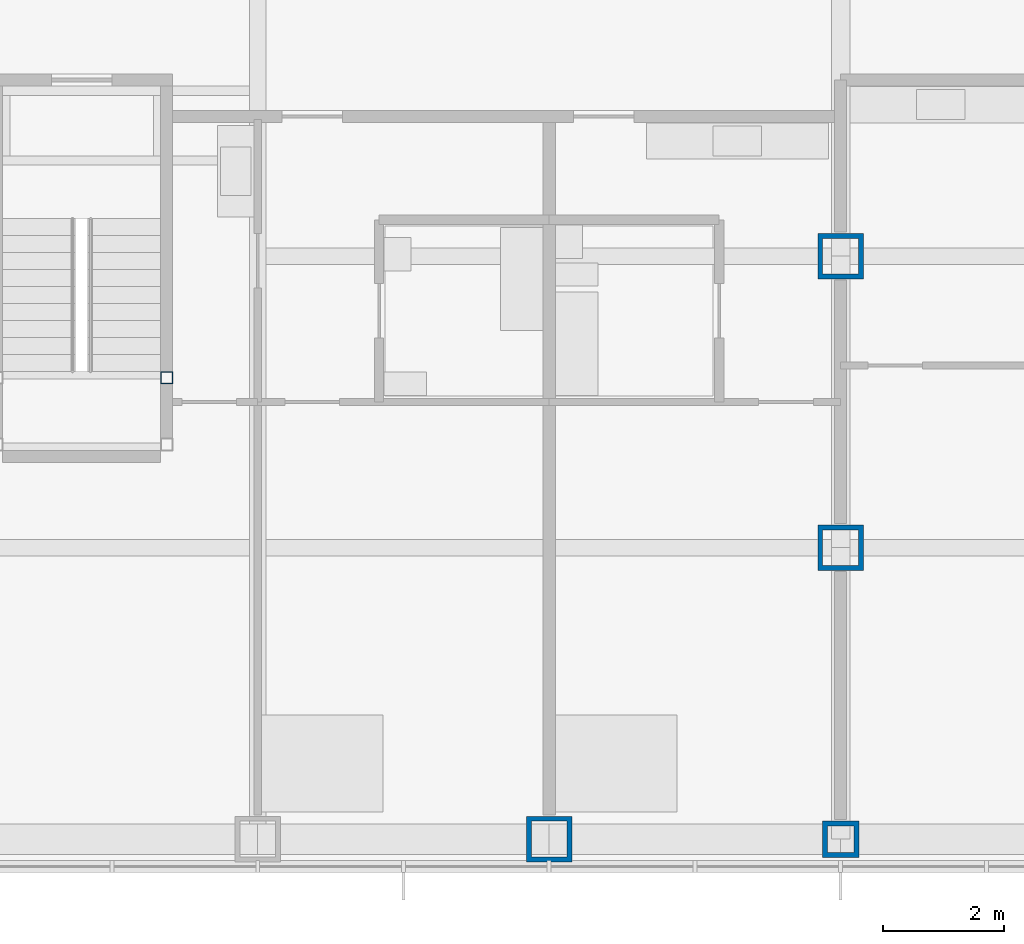
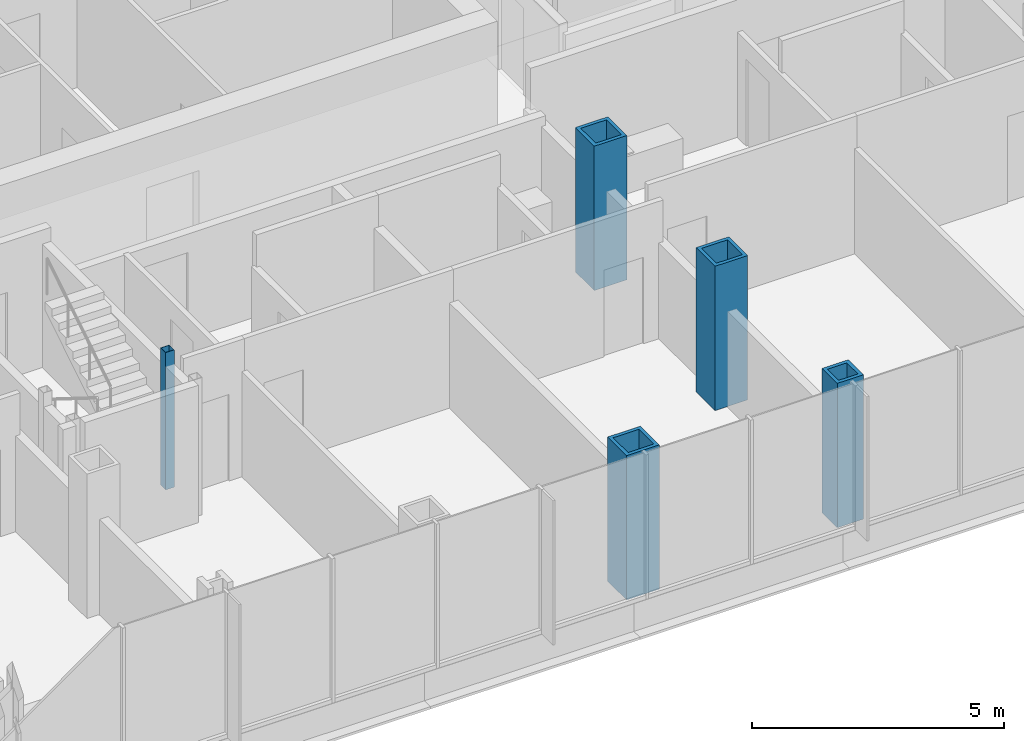
# One storey, part 2 of 21: 5 columns.
"""IFC4 building model written with IfcOpenShell, lengths in metres."""

import ifcopenshell
import ifcopenshell.guid

model = None  # the IFC model being written
_history = None  # IfcOwnerHistory: only IFC2X3 demands one
_inside = {}  # id of a spatial element -> (the spatial element, [elements in it])
_under = {}  # id of a project, library or spatial element -> (it, [spatial elements below it])
_declared = {}  # id of a project -> (the project, [libraries it declares])
_typed = {}  # id of a type object -> (the type object, [elements of that type])
_made_of = {}  # id of a material, layer set ... -> (it, [elements and type objects made of it])


def new_model(schema):
    """Start an empty IFC model of exactly this schema.

    Asked for "IFC4X3", IfcOpenShell would pick the latest addendum, in which some entities
    have other attributes; the version numbers below select the first issue.
    IFC2X3 requires an IfcOwnerHistory on every rooted entity: one is made here for all.
    """
    global model, _history
    if schema == "IFC4X3":
        model = ifcopenshell.file(schema_version=(4, 3, 0, 0))
    else:
        model = ifcopenshell.file(schema=schema)
    _inside.clear()
    _under.clear()
    _declared.clear()
    _typed.clear()
    _made_of.clear()
    _history = None
    if model.schema == "IFC2X3":
        org = make("IfcOrganization", Name="unknown")
        user = make(
            "IfcPersonAndOrganization",
            ThePerson=make("IfcPerson", FamilyName="unknown"),
            TheOrganization=org,
        )
        app = make(
            "IfcApplication",
            ApplicationDeveloper=org,
            Version="unknown",
            ApplicationFullName="unknown",
            ApplicationIdentifier="unknown",
        )
        _history = make(
            "IfcOwnerHistory",
            OwningUser=user,
            OwningApplication=app,
            ChangeAction="ADDED",
            CreationDate=0,
        )
    return model


def make(cls, **values):
    """One entity of the class cls with the attributes given. An attribute that is None is left unset."""
    return model.create_entity(
        cls, **{name: value for name, value in values.items() if value is not None}
    )


def rooted(cls, **values):
    """An entity with a GlobalId (a new one), such as an element, a storey or a relation."""
    return make(cls, GlobalId=ifcopenshell.guid.new(), OwnerHistory=_history, **values)


def si_unit(unit_type, name, prefix=None):
    """IfcSIUnit, for example si_unit("LENGTHUNIT", "METRE", prefix="MILLI")."""
    return make("IfcSIUnit", UnitType=unit_type, Prefix=prefix, Name=name)


def assignment(units):
    """IfcUnitAssignment: the units of a project."""
    return None if units is None else make("IfcUnitAssignment", Units=units)


def point(xyz):
    """IfcCartesianPoint."""
    return None if xyz is None else make("IfcCartesianPoint", Coordinates=xyz)


def direction(xyz):
    """IfcDirection."""
    return None if xyz is None else make("IfcDirection", DirectionRatios=xyz)


def frame(location, z_axis=None, x_axis=None):
    """IfcAxis2Placement3D, a coordinate frame: its origin and axes. An axis left out is left unset."""
    return make(
        "IfcAxis2Placement3D",
        Location=point(location),
        Axis=direction(z_axis),
        RefDirection=direction(x_axis),
    )


def frame_2d(location, x_axis=None):
    """IfcAxis2Placement2D, a coordinate frame in the plane: its origin and x axis."""
    return make(
        "IfcAxis2Placement2D", Location=point(location), RefDirection=direction(x_axis)
    )


def origin():
    """The frame at (0, 0, 0) with its axes left unset."""
    return frame((0.0, 0.0, 0.0))


def origin_2d():
    """The frame at (0, 0) in the plane with its x axis left unset."""
    return frame_2d((0.0, 0.0))


def place(relative_to, where):
    """IfcLocalPlacement: puts the frame where relative to a parent placement (None: the world)."""
    return make(
        "IfcLocalPlacement", PlacementRelTo=relative_to, RelativePlacement=where
    )


def context(
    kind, dimensions, precision=None, world=None, true_north=None, identifier=None
):
    """IfcGeometricRepresentationContext, for example the 3D "Model" context."""
    return make(
        "IfcGeometricRepresentationContext",
        ContextIdentifier=identifier,
        ContextType=kind,
        CoordinateSpaceDimension=dimensions,
        Precision=precision,
        WorldCoordinateSystem=world,
        TrueNorth=true_north,
    )


def subcontext(parent, identifier, kind, view, scale=None):
    """IfcGeometricRepresentationSubContext, for example "Body" below "Model"."""
    return make(
        "IfcGeometricRepresentationSubContext",
        ContextIdentifier=identifier,
        ContextType=kind,
        ParentContext=parent,
        TargetScale=scale,
        TargetView=view,
    )


def project(units=None, contexts=None):
    """IfcProject with its units and contexts."""
    return rooted(
        "IfcProject",
        Name="project",
        RepresentationContexts=contexts,
        UnitsInContext=assignment(units),
    )


def spatial(cls, under=None, at=None, **own):
    """A site, building, storey or space (cls), placed at a placement, below another one or the project."""
    s = rooted(cls, ObjectPlacement=at, **own)
    if under is not None:
        _under.setdefault(under.id(), (under, []))[1].append(s)
    return s


def profile(cls, at=None, kind="AREA", **sizes):
    """A parametric profile (cls). Its sizes go by their IFC names, for example OverallWidth=200.0."""
    return make(cls, ProfileType=kind, Position=at, **sizes)


def hollow_rectangle(**sizes):
    """IfcRectangleHollowProfileDef."""
    return profile("IfcRectangleHollowProfileDef", **sizes)


def extrude(swept, where, along, depth):
    """IfcExtrudedAreaSolid: the profile swept, set in the frame where, extruded along a direction by depth."""
    return make(
        "IfcExtrudedAreaSolid",
        SweptArea=swept,
        Position=where,
        ExtrudedDirection=direction(along),
        Depth=depth,
    )


def shape(context_of_items, identifier, shape_type, items):
    """IfcShapeRepresentation: the items that make up one representation, for example the "Body"."""
    return make(
        "IfcShapeRepresentation",
        ContextOfItems=context_of_items,
        RepresentationIdentifier=identifier,
        RepresentationType=shape_type,
        Items=items,
    )


def material(Name=None, Category=None):
    """IfcMaterial."""
    return make("IfcMaterial", Name=Name, Category=Category)


def material_profile(
    of_material, cross_section, Name=None, Category=None, Priority=None
):
    """IfcMaterialProfile: a cross section and its material."""
    return make(
        "IfcMaterialProfile",
        Name=Name,
        Material=of_material,
        Profile=cross_section,
        Priority=Priority,
        Category=Category,
    )


def profile_set(profiles, Name=None, composite=None):
    """IfcMaterialProfileSet."""
    return make(
        "IfcMaterialProfileSet",
        Name=Name,
        MaterialProfiles=profiles,
        CompositeProfile=composite,
    )


def made_of(thing, what):
    """Note that an element or type object is made of a material, layer set ...; save() writes the relation."""
    if what is not None:
        _made_of.setdefault(what.id(), (what, []))[1].append(thing)
    return thing


def type_object(cls, material=None, **own):
    """A type object (cls), such as IfcWallType, which elements share."""
    return made_of(rooted(cls, **own), material)


def element(
    cls,
    number,
    at=None,
    inside=None,
    cuts=None,
    type_object=None,
    material=None,
    context=None,
    identifier="Body",
    shape_type=None,
    held_by="IfcProductDefinitionShape",
    body=None,
    shapes=None,
    **own,
):
    """One element of the class cls, such as IfcWall. Its Tag is "e" and its number.

    at: its placement. inside: the storey or other place that contains it. cuts: it is an
    opening in that element (IfcRelVoidsElement). A single representation is given by context,
    identifier, shape_type and body (its items); several are given by shapes. held_by: the class
    of the entity that holds the representations. save() writes the other relations.
    """
    e = rooted(cls, Tag="e%d" % number, ObjectPlacement=at, **own)
    if body is not None:
        shapes = [shape(context, identifier, shape_type, body)]
    if shapes is not None:
        e.Representation = make(held_by, Representations=shapes)
    if inside is not None:
        _inside.setdefault(inside.id(), (inside, []))[1].append(e)
    if cuts is not None:
        rooted(
            "IfcRelVoidsElement", RelatingBuildingElement=cuts, RelatedOpeningElement=e
        )
    if type_object is not None:
        _typed.setdefault(type_object.id(), (type_object, []))[1].append(e)
    return made_of(e, material)


def aggregate(whole, parts):
    """IfcRelAggregates: a whole, such as a stair, and the parts it consists of."""
    return rooted("IfcRelAggregates", RelatingObject=whole, RelatedObjects=parts)


def save(model, path):
    """Write the relations noted so far, then the file.

    IfcRelAggregates (storeys below a building ...), IfcRelContainedInSpatialStructure (elements
    in a storey), IfcRelDefinesByType, IfcRelAssociatesMaterial and IfcRelDeclares: one each for
    every whole, place, type object, material and project.
    """
    for whole, parts in _under.values():
        aggregate(whole, parts)
    for where, things in _inside.values():
        rooted(
            "IfcRelContainedInSpatialStructure",
            RelatedElements=things,
            RelatingStructure=where,
        )
    for kind, things in _typed.values():
        rooted("IfcRelDefinesByType", RelatedObjects=things, RelatingType=kind)
    for what, things in _made_of.values():
        rooted("IfcRelAssociatesMaterial", RelatedObjects=things, RelatingMaterial=what)
    for by, libraries in _declared.values():
        rooted("IfcRelDeclares", RelatingContext=by, RelatedDefinitions=libraries)
    model.write(path)


model = new_model("IFC4")

# Units and contexts
model_context = context("Model", 3, precision=1e-05, world=origin(), true_north=direction((0.0, 1.0)))
body_context = subcontext(model_context, "Body", "Model", "MODEL_VIEW")
ifc_project = project(units=[si_unit("LENGTHUNIT", "METRE"), si_unit("AREAUNIT", "SQUARE_METRE"), si_unit("VOLUMEUNIT", "CUBIC_METRE"), si_unit("PLANEANGLEUNIT", "RADIAN"), si_unit("MASSUNIT", "GRAM", prefix="KILO")], contexts=[model_context])

# Site, building, storey
site_placement = place(None, origin())
site = spatial("IfcSite", under=ifc_project, at=site_placement, CompositionType="ELEMENT")
building_placement = place(site_placement, origin())
building = spatial("IfcBuilding", under=site, at=building_placement, Name="Kvirike Care Tower", CompositionType="ELEMENT")
storey_placement = place(building_placement, frame((0.0, 0.0, 37.5)))
storey = spatial("IfcBuildingStorey", under=building, at=storey_placement, Name="L09", CompositionType="ELEMENT", Elevation=37.5)

# Columns
ifc_material_1 = material(Name="Steel S460", Category="steel")
ifc_material_profile_1 = material_profile(ifc_material_1, hollow_rectangle(XDim=0.60009765625, YDim=0.60009765625, WallThickness=0.080078125, at=origin_2d()), Name="BX 600x600x80")
ifc_profile_set_1 = profile_set([ifc_material_profile_1], Name="Steel S460")
column_type_1 = type_object("IfcColumnType", Name="COLUMN BX 600x600x80", PredefinedType="COLUMN", material=ifc_profile_set_1)
column_1_placement = place(storey_placement, frame((28.800048828125, 14.39990234375, 0.0), z_axis=(0.0, 0.0, 1.0), x_axis=(0.0, 1.0, 0.0)))
element("IfcColumn", 1, at=column_1_placement, inside=storey, type_object=column_type_1, Name="Column D9 L09", PredefinedType="COLUMN", context=body_context, shape_type="SweptSolid", body=[
    extrude(hollow_rectangle(XDim=0.60009765625, YDim=0.60009765625, WallThickness=0.080078125, at=origin_2d()), origin(), (0.0, 0.0, 1.0), 3.5),
])
ifc_material_2 = material(Name="Steel S460", Category="steel")
ifc_material_profile_2 = material_profile(ifc_material_2, hollow_rectangle(XDim=0.75, YDim=0.75, WallThickness=0.080078125, at=origin_2d()), Name="BX 750x750x80")
ifc_profile_set_2 = profile_set([ifc_material_profile_2], Name="Steel S460")
column_type_2 = type_object("IfcColumnType", Name="COLUMN BX 750x750x80", PredefinedType="COLUMN", material=ifc_profile_set_2)
for number, where, z_axis, x_axis, name in (
    (2, (24.0, 14.39990234375, 0.0), (0.0, 0.0, 1.0), (0.0, 1.0, 0.0), "Column D8 L09"),
    (3, (28.800048828125, 19.199951171875, 0.0), (0.0, 0.0, 1.0), (1.0, 0.0, 0.0), "Column E9 L09"),
    (4, (28.800048828125, 24.0, 0.0), (0.0, 0.0, 1.0), (1.0, 0.0, 0.0), "Column F9 L09"),
):
    element("IfcColumn", number, at=place(storey_placement, frame(where, z_axis=z_axis, x_axis=x_axis)), inside=storey, type_object=column_type_2, Name=name, PredefinedType="COLUMN", context=body_context, shape_type="SweptSolid", body=[
        extrude(hollow_rectangle(XDim=0.75, YDim=0.75, WallThickness=0.080078125, at=origin_2d()), origin(), (0.0, 0.0, 1.0), 3.5),
    ])
ifc_material_3 = material(Name="Steel S460", Category="steel")
ifc_material_profile_3 = material_profile(ifc_material_3, hollow_rectangle(XDim=0.199951171875, YDim=0.199951171875, WallThickness=0.008056640625, at=origin_2d()), Name="SHS 200x200x8")
ifc_profile_set_3 = profile_set([ifc_material_profile_3], Name="Steel S460")
column_type_3 = type_object("IfcColumnType", Name="STAIR POST SHS 200x200x8", PredefinedType="COLUMN", material=ifc_profile_set_3)
column_2_placement = place(storey_placement, frame((17.699951171875, 22.0, 0.0), z_axis=(0.0, 0.0, 1.0), x_axis=(1.0, 0.0, 0.0)))
element("IfcColumn", 5, at=column_2_placement, inside=storey, type_object=column_type_3, Name="Stair 5 post 4 L09", PredefinedType="COLUMN", context=body_context, shape_type="SweptSolid", body=[
    extrude(hollow_rectangle(XDim=0.199951171875, YDim=0.199951171875, WallThickness=0.008056640625, at=origin_2d()), origin(), (0.0, 0.0, 1.0), 3.330078125),
])

save(model, "model.ifc")
